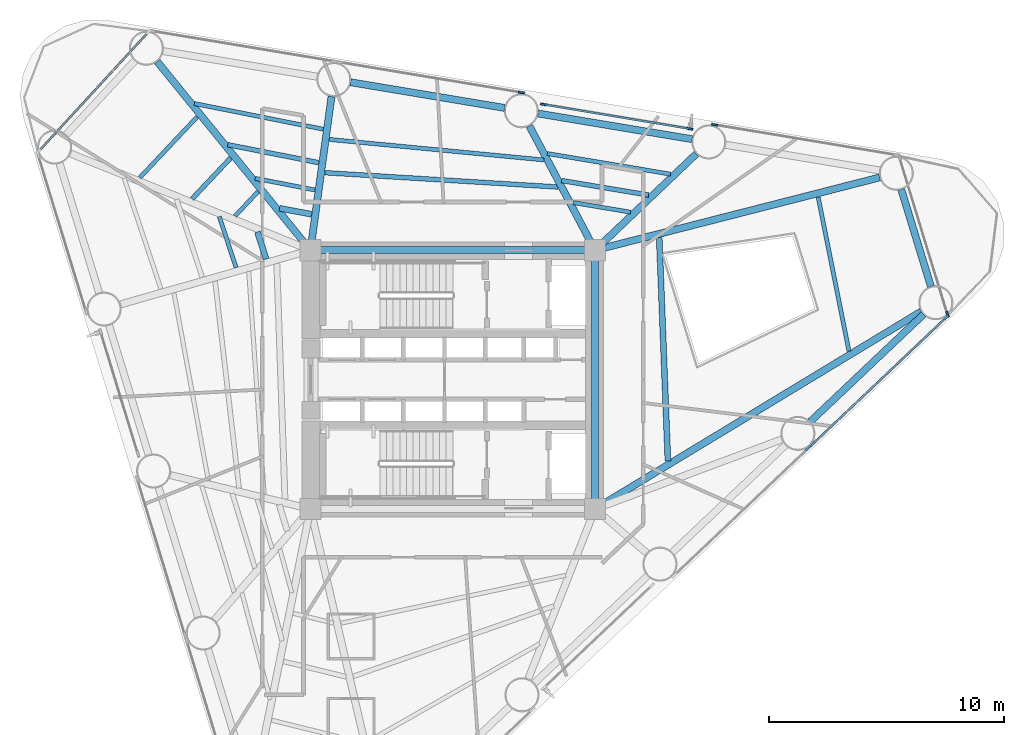
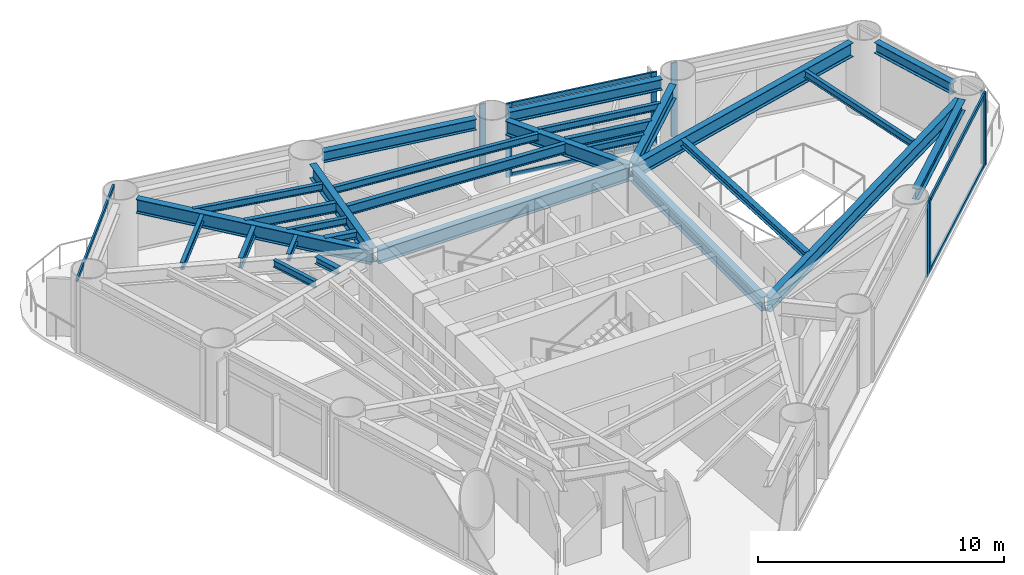
# One storey, part 3 of 10: 28 beams, 14 members, 7 elements without a shape of their own.
"""IFC4 building model written with IfcOpenShell, lengths in metres."""

from ifc_helpers import new_model, si_unit, direction, frame, origin, origin_2d, place, context, subcontext, project, spatial, rectangle, i_section, extrude, source, transform, mapped, material, layer, layer_set, material_profile, profile_set, type_object, element, aggregate, save


model = new_model("IFC4")

# Units and contexts
model_context = context("Model", 3, precision=1e-05, world=origin(), true_north=direction((0.0, 1.0)))
body_context = subcontext(model_context, "Body", "Model", "MODEL_VIEW")
ifc_project = project(units=[si_unit("LENGTHUNIT", "METRE"), si_unit("AREAUNIT", "SQUARE_METRE"), si_unit("VOLUMEUNIT", "CUBIC_METRE"), si_unit("PLANEANGLEUNIT", "RADIAN"), si_unit("MASSUNIT", "GRAM", prefix="KILO")], contexts=[model_context])

# Site, building, storey
site_placement = place(None, origin())
site = spatial("IfcSite", under=ifc_project, at=site_placement, CompositionType="ELEMENT")
building_placement = place(site_placement, origin())
building = spatial("IfcBuilding", under=site, at=building_placement, Name="Yunling Apex Tower", CompositionType="ELEMENT")
storey_placement = place(building_placement, frame((0.0, 0.0, 108.64990234375)))
storey = spatial("IfcBuildingStorey", under=building, at=storey_placement, Name="L27", CompositionType="ELEMENT", Elevation=108.64990234375)

# Beams
ifc_material_1 = material(Name="Steel Q355B", Category="steel")
ifc_material_profile_1 = material_profile(ifc_material_1, i_section(OverallWidth=0.300048828125, OverallDepth=0.699951171875, WebThickness=0.012939453125, FlangeThickness=0.02392578125, FilletRadius=0.02587890625, at=origin_2d()))
ifc_profile_set_1 = profile_set([ifc_material_profile_1], Name="Steel Q355B")
beam_type_1 = type_object("IfcBeamType", Name="BG-PRI-3", PredefinedType="USERDEFINED", material=ifc_profile_set_1)
shared_shape_1 = source(origin(), body_context, "Body", "SweptSolid", [
    extrude(i_section(OverallWidth=0.300048828125, OverallDepth=0.699951171875, WebThickness=0.012939453125, FlangeThickness=0.02392578125, FilletRadius=0.02587890625, at=origin_2d()), origin(), (0.0, 0.0, 1.0), 11.7998046875),
])
beam_1_placement = place(storey_placement, frame((5.89990234375, 5.5, 3.215087890625), z_axis=(-1.0, 0.0, 0.0), x_axis=(0.0, -1.0, 0.0)))
element("IfcBeam", 1, at=beam_1_placement, inside=storey, type_object=beam_type_1, Name="L27 Core Ring Tie Beam 3", ObjectType="GIRDER", PredefinedType="USERDEFINED", context=body_context, shape_type="MappedRepresentation", body=[
    mapped(shared_shape_1, transform((0.0, 0.0, 0.0), scale=1.0)),
])
shared_shape_2 = source(origin(), body_context, "Body", "SweptSolid", [
    extrude(i_section(OverallWidth=0.300048828125, OverallDepth=0.699951171875, WebThickness=0.012939453125, FlangeThickness=0.02392578125, FilletRadius=0.02587890625, at=origin_2d()), origin(), (0.0, 0.0, 1.0), 10.7001953125),
])
beam_2_placement = place(storey_placement, frame((6.050048828125, -5.35009765625, 3.215087890625), z_axis=(0.0, 1.0, 0.0), x_axis=(-1.0, 0.0, 0.0)))
element("IfcBeam", 2, at=beam_2_placement, inside=storey, type_object=beam_type_1, Name="L27 Core Ring Tie Beam 2", ObjectType="GIRDER", PredefinedType="USERDEFINED", context=body_context, shape_type="MappedRepresentation", body=[
    mapped(shared_shape_2, transform((0.0, 0.0, 0.0), scale=1.0)),
])
ifc_material_profile_2 = material_profile(ifc_material_1, i_section(OverallWidth=0.300048828125, OverallDepth=0.5400390625, WebThickness=0.011962890625, FlangeThickness=0.02001953125, FilletRadius=0.02392578125, at=origin_2d()))
ifc_profile_set_2 = profile_set([ifc_material_profile_2], Name="Steel Q355B")
beam_type_2 = type_object("IfcBeamType", Name="BP-SPN-1", PredefinedType="SPANDREL", material=ifc_profile_set_2)
shared_shape_3 = source(origin(), body_context, "Body", "SweptSolid", [
    extrude(i_section(OverallWidth=0.300048828125, OverallDepth=0.5400390625, WebThickness=0.011962890625, FlangeThickness=0.02001953125, FilletRadius=0.02392578125, at=origin_2d()), origin(), (0.0, 0.0, 1.0), 6.6416015625),
])
beam_3_placement = place(storey_placement, frame((15.194580078125, -1.79248046875, 3.295166015625), z_axis=(0.725873473547, 0.687828249203, 0.0), x_axis=(-0.687828249203, 0.725873473547, 0.0)))
element("IfcBeam", 3, at=beam_3_placement, inside=storey, type_object=beam_type_2, Name="L27 Perimeter Spandrel Beam 4", PredefinedType="SPANDREL", context=body_context, shape_type="MappedRepresentation", body=[
    mapped(shared_shape_3, transform((0.0, 0.0, 0.0), scale=1.0)),
])
shared_shape_4 = source(origin(), body_context, "Body", "SweptSolid", [
    extrude(i_section(OverallWidth=0.300048828125, OverallDepth=0.5400390625, WebThickness=0.011962890625, FlangeThickness=0.02001953125, FilletRadius=0.02392578125, at=origin_2d()), origin(), (0.0, 0.0, 1.0), 4.316162109375),
])
beam_4_placement = place(storey_placement, frame((20.327392578125, 3.9580078125, 3.295166015625), z_axis=(-0.29238810835, 0.956299740717, 0.0), x_axis=(-0.956299740717, -0.29238810835, 0.0)))
element("IfcBeam", 4, at=beam_4_placement, inside=storey, type_object=beam_type_2, Name="L27 Perimeter Spandrel Beam 5", PredefinedType="SPANDREL", context=body_context, shape_type="MappedRepresentation", body=[
    mapped(shared_shape_4, transform((0.0, 0.0, 0.0), scale=1.0)),
])
shared_shape_5 = source(origin(), body_context, "Body", "SweptSolid", [
    extrude(i_section(OverallWidth=0.300048828125, OverallDepth=0.5400390625, WebThickness=0.011962890625, FlangeThickness=0.02001953125, FilletRadius=0.02392578125, at=origin_2d()), origin(), (0.0, 0.0, 1.0), 6.641845703125),
])
for number, where, z_axis, x_axis, name in (
    (5, (10.176025390625, 10.21923828125, 3.295166015625), (-0.986402863526, 0.164345340146, 0.0), (-0.164345340146, -0.986402863526, 0.0), "L27 Perimeter Spandrel Beam 7"),
    (6, (2.206298828125, 11.547119140625, 3.295166015625), (-0.986396904036, 0.164381105081, 0.0), (-0.164381105081, -0.986396904036, 0.0), "L27 Perimeter Spandrel Beam 8"),
):
    element("IfcBeam", number, at=place(storey_placement, frame(where, z_axis=z_axis, x_axis=x_axis)), inside=storey, type_object=beam_type_2, Name=name, PredefinedType="SPANDREL", context=body_context, shape_type="MappedRepresentation", body=[
        mapped(shared_shape_5, transform((0.0, 0.0, 0.0), scale=1.0)),
    ])
shared_shape_6 = source(origin(), body_context, "Body", "SweptSolid", [
    extrude(i_section(OverallWidth=0.300048828125, OverallDepth=0.699951171875, WebThickness=0.012939453125, FlangeThickness=0.02392578125, FilletRadius=0.02587890625, at=origin_2d()), origin(), (0.0, 0.0, 1.0), 16.12255859375),
])
beam_5_placement = place(storey_placement, frame((19.91064453125, 2.890869140625, 3.215087890625), z_axis=(-0.855460711475, -0.517867715854, 0.0), x_axis=(0.517867715854, -0.855460711475, 0.0)))
element("IfcBeam", 7, at=beam_5_placement, inside=storey, type_object=beam_type_1, Name="L27 Radial Primary Girder R05", ObjectType="GIRDER", PredefinedType="USERDEFINED", context=body_context, shape_type="MappedRepresentation", body=[
    mapped(shared_shape_6, transform((0.0, 0.0, 0.0), scale=1.0)),
])
shared_shape_7 = source(origin(), body_context, "Body", "SweptSolid", [
    extrude(i_section(OverallWidth=0.300048828125, OverallDepth=0.699951171875, WebThickness=0.012939453125, FlangeThickness=0.02392578125, FilletRadius=0.02587890625, at=origin_2d()), origin(), (0.0, 0.0, 1.0), 12.404052734375),
])
beam_6_placement = place(storey_placement, frame((18.14501953125, 8.591552734375, 3.215087890625), z_axis=(-0.968850823376, -0.247645072723, 0.0), x_axis=(0.247645072723, -0.968850823376, 0.0)))
element("IfcBeam", 8, at=beam_6_placement, inside=storey, type_object=beam_type_1, Name="L27 Radial Primary Girder R06", ObjectType="GIRDER", PredefinedType="USERDEFINED", context=body_context, shape_type="MappedRepresentation", body=[
    mapped(shared_shape_7, transform((0.0, 0.0, 0.0), scale=1.0)),
])
shared_shape_8 = source(origin(), body_context, "Body", "SweptSolid", [
    extrude(i_section(OverallWidth=0.300048828125, OverallDepth=0.699951171875, WebThickness=0.012939453125, FlangeThickness=0.02392578125, FilletRadius=0.02587890625, at=origin_2d()), origin(), (0.0, 0.0, 1.0), 5.861572265625),
])
beam_7_placement = place(storey_placement, frame((10.354248046875, 9.595703125, 3.215087890625), z_axis=(-0.724444921608, -0.689332688588, 0.0), x_axis=(0.689332688588, -0.724444921608, 0.0)))
element("IfcBeam", 9, at=beam_7_placement, inside=storey, type_object=beam_type_1, Name="L27 Radial Primary Girder R07", ObjectType="GIRDER", PredefinedType="USERDEFINED", context=body_context, shape_type="MappedRepresentation", body=[
    mapped(shared_shape_8, transform((0.0, 0.0, 0.0), scale=1.0)),
])
shared_shape_9 = source(origin(), body_context, "Body", "SweptSolid", [
    extrude(i_section(OverallWidth=0.300048828125, OverallDepth=0.699951171875, WebThickness=0.012939453125, FlangeThickness=0.02392578125, FilletRadius=0.02587890625, at=origin_2d()), origin(), (0.0, 0.0, 1.0), 5.8935546875),
])
beam_8_placement = place(storey_placement, frame((3.258056640625, 10.781005859375, 3.215087890625), z_axis=(0.467396595772, -0.884047748858, 0.0), x_axis=(0.884047748858, 0.467396595772, 0.0)))
element("IfcBeam", 10, at=beam_8_placement, inside=storey, type_object=beam_type_1, Name="L27 Radial Primary Girder R08", ObjectType="GIRDER", PredefinedType="USERDEFINED", context=body_context, shape_type="MappedRepresentation", body=[
    mapped(shared_shape_9, transform((0.0, 0.0, 0.0), scale=1.0)),
])
shared_shape_10 = source(origin(), body_context, "Body", "SweptSolid", [
    extrude(i_section(OverallWidth=0.300048828125, OverallDepth=0.699951171875, WebThickness=0.012939453125, FlangeThickness=0.02392578125, FilletRadius=0.02587890625, at=origin_2d()), origin(), (0.0, 0.0, 1.0), 6.51171875),
])
beam_9_placement = place(storey_placement, frame((-5.154052734375, 12.03076171875, 3.215087890625), z_axis=(-0.135907866291, -0.990721480478, 0.0), x_axis=(0.990721480478, -0.135907866291, 0.0)))
element("IfcBeam", 11, at=beam_9_placement, inside=storey, type_object=beam_type_1, Name="L27 Radial Primary Girder R09", ObjectType="GIRDER", PredefinedType="USERDEFINED", context=body_context, shape_type="MappedRepresentation", body=[
    mapped(shared_shape_10, transform((0.0, 0.0, 0.0), scale=1.0)),
])
shared_shape_11 = source(origin(), body_context, "Body", "SweptSolid", [
    extrude(i_section(OverallWidth=0.300048828125, OverallDepth=0.699951171875, WebThickness=0.012939453125, FlangeThickness=0.02392578125, FilletRadius=0.02587890625, at=origin_2d()), origin(), (0.0, 0.0, 1.0), 10.248046875),
])
beam_10_placement = place(storey_placement, frame((-12.56201171875, 13.51611328125, 3.215087890625), z_axis=(0.630531635465, -0.776163550212, 0.0), x_axis=(0.776163550212, 0.630531635465, 0.0)))
element("IfcBeam", 12, at=beam_10_placement, inside=storey, type_object=beam_type_1, Name="L27 Radial Primary Girder R10", ObjectType="GIRDER", PredefinedType="USERDEFINED", context=body_context, shape_type="MappedRepresentation", body=[
    mapped(shared_shape_11, transform((0.0, 0.0, 0.0), scale=1.0)),
])
ifc_material_profile_3 = material_profile(ifc_material_1, i_section(OverallWidth=0.175048828125, OverallDepth=0.35009765625, WebThickness=0.007080078125, FlangeThickness=0.010986328125, FilletRadius=0.013916015625, at=origin_2d()))
ifc_profile_set_3 = profile_set([ifc_material_profile_3], Name="Steel Q355B")
beam_type_3 = type_object("IfcBeamType", Name="BJ-JST-1", PredefinedType="JOIST", material=ifc_profile_set_3)
shared_shape_12 = source(origin(), body_context, "Body", "SweptSolid", [
    extrude(i_section(OverallWidth=0.175048828125, OverallDepth=0.35009765625, WebThickness=0.007080078125, FlangeThickness=0.010986328125, FilletRadius=0.013916015625, at=origin_2d()), origin(), (0.0, 0.0, 1.0), 6.677978515625),
])
beam_11_placement = place(storey_placement, frame((16.844970703125, 1.2109375, 3.39013671875), z_axis=(-0.196502798026, 0.980503263823, 0.0), x_axis=(-0.980503263823, -0.196502798026, 0.0)))
element("IfcBeam", 13, at=beam_11_placement, inside=storey, type_object=beam_type_3, Name="L27 Composite Floor Joist BJ1-5", PredefinedType="JOIST", context=body_context, shape_type="MappedRepresentation", body=[
    mapped(shared_shape_12, transform((0.0, 0.0, 0.0), scale=1.0)),
])
ifc_material_profile_4 = material_profile(ifc_material_1, i_section(OverallWidth=0.25, OverallDepth=0.340087890625, WebThickness=0.009033203125, FlangeThickness=0.013916015625, FilletRadius=0.01806640625, at=origin_2d()))
ifc_profile_set_4 = profile_set([ifc_material_profile_4], Name="Steel Q355B")
beam_type_4 = type_object("IfcBeamType", Name="BJ-JST-2", PredefinedType="JOIST", material=ifc_profile_set_4)
shared_shape_13 = source(origin(), body_context, "Body", "SweptSolid", [
    extrude(i_section(OverallWidth=0.25, OverallDepth=0.340087890625, WebThickness=0.009033203125, FlangeThickness=0.013916015625, FilletRadius=0.01806640625, at=origin_2d()), origin(), (0.0, 0.0, 1.0), 9.504638671875),
])
beam_12_placement = place(storey_placement, frame((9.146484375, -3.4619140625, 3.39501953125), z_axis=(-0.038811925144, 0.999246533377, 0.0), x_axis=(-0.999246533377, -0.038811925144, 0.0)))
element("IfcBeam", 14, at=beam_12_placement, inside=storey, type_object=beam_type_4, Name="L27 Composite Floor Joist BJ2-5", PredefinedType="JOIST", context=body_context, shape_type="MappedRepresentation", body=[
    mapped(shared_shape_13, transform((0.0, 0.0, 0.0), scale=1.0)),
])
ifc_material_profile_5 = material_profile(ifc_material_1, i_section(OverallWidth=0.199951171875, OverallDepth=0.5, WebThickness=0.010009765625, FlangeThickness=0.01611328125, FilletRadius=0.02001953125, at=origin_2d()))
ifc_profile_set_5 = profile_set([ifc_material_profile_5], Name="Steel Q355B")
beam_type_5 = type_object("IfcBeamType", Name="BS-SEC-2", PredefinedType="BEAM", material=ifc_profile_set_5)
shared_shape_14 = source(origin(), body_context, "Body", "SweptSolid", [
    extrude(i_section(OverallWidth=0.199951171875, OverallDepth=0.5, WebThickness=0.010009765625, FlangeThickness=0.01611328125, FilletRadius=0.02001953125, at=origin_2d()), origin(), (0.0, 0.0, 1.0), 3.751708984375),
])
beam_13_placement = place(storey_placement, frame((8.328125, 7.84423828125, 3.315185546875), z_axis=(-0.986342871573, 0.164705008112, 0.0), x_axis=(-0.164705008112, -0.986342871573, 0.0)))
element("IfcBeam", 15, at=beam_13_placement, inside=storey, type_object=beam_type_5, Name="L27 Composite Floor Beam BS-7", PredefinedType="BEAM", context=body_context, shape_type="MappedRepresentation", body=[
    mapped(shared_shape_14, transform((0.0, 0.0, 0.0), scale=1.0)),
])
shared_shape_15 = source(origin(), body_context, "Body", "SweptSolid", [
    extrude(i_section(OverallWidth=0.175048828125, OverallDepth=0.35009765625, WebThickness=0.007080078125, FlangeThickness=0.010986328125, FilletRadius=0.013916015625, at=origin_2d()), origin(), (0.0, 0.0, 1.0), 5.31298828125),
])
beam_14_placement = place(storey_placement, frame((9.26220703125, 8.733154296875, 3.39013671875), z_axis=(-0.9863379805, 0.164734295835, 0.0), x_axis=(-0.164734295835, -0.9863379805, 0.0)))
element("IfcBeam", 16, at=beam_14_placement, inside=storey, type_object=beam_type_3, Name="L27 Composite Floor Joist BJ1-7", PredefinedType="JOIST", context=body_context, shape_type="MappedRepresentation", body=[
    mapped(shared_shape_15, transform((0.0, 0.0, 0.0), scale=1.0)),
])
shared_shape_16 = source(origin(), body_context, "Body", "SweptSolid", [
    extrude(i_section(OverallWidth=0.175048828125, OverallDepth=0.35009765625, WebThickness=0.007080078125, FlangeThickness=0.010986328125, FilletRadius=0.013916015625, at=origin_2d()), origin(), (0.0, 0.0, 1.0), 2.4736328125),
])
beam_15_placement = place(storey_placement, frame((7.563720703125, 7.116943359375, 3.39013671875), z_axis=(-0.986340524185, 0.164719064925, 0.0), x_axis=(-0.164719064925, -0.986340524185, 0.0)))
element("IfcBeam", 17, at=beam_15_placement, inside=storey, type_object=beam_type_3, Name="L27 Composite Floor Joist BJ3-7", PredefinedType="JOIST", context=body_context, shape_type="MappedRepresentation", body=[
    mapped(shared_shape_16, transform((0.0, 0.0, 0.0), scale=1.0)),
])
shared_shape_17 = source(origin(), body_context, "Body", "SweptSolid", [
    extrude(i_section(OverallWidth=0.199951171875, OverallDepth=0.5, WebThickness=0.010009765625, FlangeThickness=0.01611328125, FilletRadius=0.02001953125, at=origin_2d()), origin(), (0.0, 0.0, 1.0), 9.931396484375),
])
beam_16_placement = place(storey_placement, frame((4.4755859375, 8.185791015625, 3.315185546875), z_axis=(-0.998115763158, 0.061358971106, 0.0), x_axis=(-0.061358971106, -0.998115763158, 0.0)))
element("IfcBeam", 18, at=beam_16_placement, inside=storey, type_object=beam_type_5, Name="L27 Composite Floor Beam BS-8", PredefinedType="BEAM", context=body_context, shape_type="MappedRepresentation", body=[
    mapped(shared_shape_17, transform((0.0, 0.0, 0.0), scale=1.0)),
])
shared_shape_18 = source(origin(), body_context, "Body", "SweptSolid", [
    extrude(i_section(OverallWidth=0.175048828125, OverallDepth=0.35009765625, WebThickness=0.007080078125, FlangeThickness=0.010986328125, FilletRadius=0.013916015625, at=origin_2d()), origin(), (0.0, 0.0, 1.0), 9.154296875),
])
beam_17_placement = place(storey_placement, frame((3.8701171875, 9.33740234375, 3.39013671875), z_axis=(-0.99545727606, 0.095209303851, 0.0), x_axis=(-0.095209303851, -0.99545727606, 0.0)))
element("IfcBeam", 19, at=beam_17_placement, inside=storey, type_object=beam_type_3, Name="L27 Composite Floor Joist BJ1-8", PredefinedType="JOIST", context=body_context, shape_type="MappedRepresentation", body=[
    mapped(shared_shape_18, transform((0.0, 0.0, 0.0), scale=1.0)),
])
shared_shape_19 = source(origin(), body_context, "Body", "SweptSolid", [
    extrude(i_section(OverallWidth=0.199951171875, OverallDepth=0.5, WebThickness=0.010009765625, FlangeThickness=0.01611328125, FilletRadius=0.02001953125, at=origin_2d()), origin(), (0.0, 0.0, 1.0), 3.93603515625),
])
beam_18_placement = place(storey_placement, frame((-5.700439453125, 9.22314453125, 3.315185546875), z_axis=(-0.981071392503, 0.193646386002, 0.0), x_axis=(-0.193646386002, -0.981071392503, 0.0)))
element("IfcBeam", 20, at=beam_18_placement, inside=storey, type_object=beam_type_5, Name="L27 Composite Floor Beam BS-9", PredefinedType="BEAM", context=body_context, shape_type="MappedRepresentation", body=[
    mapped(shared_shape_19, transform((0.0, 0.0, 0.0), scale=1.0)),
])
shared_shape_20 = source(origin(), body_context, "Body", "SweptSolid", [
    extrude(i_section(OverallWidth=0.175048828125, OverallDepth=0.35009765625, WebThickness=0.007080078125, FlangeThickness=0.010986328125, FilletRadius=0.013916015625, at=origin_2d()), origin(), (0.0, 0.0, 1.0), 5.5859375),
])
beam_19_placement = place(storey_placement, frame((-5.505615234375, 10.642822265625, 3.39013671875), z_axis=(-0.980703200221, 0.195502514243, 0.0), x_axis=(-0.195502514243, -0.980703200221, 0.0)))
element("IfcBeam", 21, at=beam_19_placement, inside=storey, type_object=beam_type_3, Name="L27 Composite Floor Joist BJ1-9", PredefinedType="JOIST", context=body_context, shape_type="MappedRepresentation", body=[
    mapped(shared_shape_20, transform((0.0, 0.0, 0.0), scale=1.0)),
])
shared_shape_21 = source(origin(), body_context, "Body", "SweptSolid", [
    extrude(i_section(OverallWidth=0.175048828125, OverallDepth=0.35009765625, WebThickness=0.007080078125, FlangeThickness=0.010986328125, FilletRadius=0.013916015625, at=origin_2d()), origin(), (0.0, 0.0, 1.0), 2.586181640625),
])
beam_20_placement = place(storey_placement, frame((-5.85986328125, 8.061279296875, 3.39013671875), z_axis=(-0.981668903035, 0.190594241295, 0.0), x_axis=(-0.190594241295, -0.981668903035, 0.0)))
element("IfcBeam", 22, at=beam_20_placement, inside=storey, type_object=beam_type_3, Name="L27 Composite Floor Joist BJ3-9", PredefinedType="JOIST", context=body_context, shape_type="MappedRepresentation", body=[
    mapped(shared_shape_21, transform((0.0, 0.0, 0.0), scale=1.0)),
])
shared_shape_22 = source(origin(), body_context, "Body", "SweptSolid", [
    extrude(i_section(OverallWidth=0.25, OverallDepth=0.340087890625, WebThickness=0.009033203125, FlangeThickness=0.013916015625, FilletRadius=0.01806640625, at=origin_2d()), origin(), (0.0, 0.0, 1.0), 1.38671875),
])
beam_21_placement = place(storey_placement, frame((-6.001708984375, 7.028076171875, 3.39501953125), z_axis=(-0.982993560329, 0.183640029272, 0.0), x_axis=(-0.183640029272, -0.982993560329, 0.0)))
element("IfcBeam", 23, at=beam_21_placement, inside=storey, type_object=beam_type_4, Name="L27 Composite Floor Joist BJ2-9", PredefinedType="JOIST", context=body_context, shape_type="MappedRepresentation", body=[
    mapped(shared_shape_22, transform((0.0, 0.0, 0.0), scale=1.0)),
])
shared_shape_23 = source(origin(), body_context, "Body", "SweptSolid", [
    extrude(i_section(OverallWidth=0.199951171875, OverallDepth=0.5, WebThickness=0.010009765625, FlangeThickness=0.01611328125, FilletRadius=0.02001953125, at=origin_2d()), origin(), (0.0, 0.0, 1.0), 2.385498046875),
])
beam_22_placement = place(storey_placement, frame((-9.44091796875, 9.422607421875, 3.315185546875), z_axis=(-0.685604091154, -0.727974608207, 0.0), x_axis=(0.727974608207, -0.685604091154, 0.0)))
element("IfcBeam", 24, at=beam_22_placement, inside=storey, type_object=beam_type_5, Name="L27 Composite Floor Beam BS-10", PredefinedType="BEAM", context=body_context, shape_type="MappedRepresentation", body=[
    mapped(shared_shape_23, transform((0.0, 0.0, 0.0), scale=1.0)),
])
shared_shape_24 = source(origin(), body_context, "Body", "SweptSolid", [
    extrude(i_section(OverallWidth=0.175048828125, OverallDepth=0.35009765625, WebThickness=0.007080078125, FlangeThickness=0.010986328125, FilletRadius=0.013916015625, at=origin_2d()), origin(), (0.0, 0.0, 1.0), 3.558349609375),
])
beam_23_placement = place(storey_placement, frame((-10.862548828125, 11.172607421875, 3.39013671875), z_axis=(-0.685976545908, -0.727623651666, 0.0), x_axis=(0.727623651666, -0.685976545908, 0.0)))
element("IfcBeam", 25, at=beam_23_placement, inside=storey, type_object=beam_type_3, Name="L27 Composite Floor Joist BJ1-10", PredefinedType="JOIST", context=body_context, shape_type="MappedRepresentation", body=[
    mapped(shared_shape_24, transform((0.0, 0.0, 0.0), scale=1.0)),
])
shared_shape_25 = source(origin(), body_context, "Body", "SweptSolid", [
    extrude(i_section(OverallWidth=0.175048828125, OverallDepth=0.35009765625, WebThickness=0.007080078125, FlangeThickness=0.010986328125, FilletRadius=0.013916015625, at=origin_2d()), origin(), (0.0, 0.0, 1.0), 1.42578125),
])
beam_24_placement = place(storey_placement, frame((-8.277587890625, 7.99072265625, 3.39013671875), z_axis=(-0.68493728069, -0.728602032334, 0.0), x_axis=(0.728602032334, -0.68493728069, 0.0)))
element("IfcBeam", 26, at=beam_24_placement, inside=storey, type_object=beam_type_3, Name="L27 Composite Floor Joist BJ3-10", PredefinedType="JOIST", context=body_context, shape_type="MappedRepresentation", body=[
    mapped(shared_shape_25, transform((0.0, 0.0, 0.0), scale=1.0)),
])
shared_shape_26 = source(origin(), body_context, "Body", "SweptSolid", [
    extrude(i_section(OverallWidth=0.175048828125, OverallDepth=0.35009765625, WebThickness=0.007080078125, FlangeThickness=0.010986328125, FilletRadius=0.013916015625, at=origin_2d()), origin(), (0.0, 0.0, 1.0), 2.277099609375),
])
beam_25_placement = place(storey_placement, frame((-9.92138671875, 6.927978515625, 3.39013671875), z_axis=(0.311044342957, -0.950395400196, 0.0), x_axis=(0.950395400196, 0.311044342957, 0.0)))
element("IfcBeam", 27, at=beam_25_placement, inside=storey, type_object=beam_type_3, Name="L27 Composite Floor Joist BJ3-11", PredefinedType="JOIST", context=body_context, shape_type="MappedRepresentation", body=[
    mapped(shared_shape_26, transform((0.0, 0.0, 0.0), scale=1.0)),
])
shared_shape_27 = source(origin(), body_context, "Body", "SweptSolid", [
    extrude(i_section(OverallWidth=0.25, OverallDepth=0.340087890625, WebThickness=0.009033203125, FlangeThickness=0.013916015625, FilletRadius=0.01806640625, at=origin_2d()), origin(), (0.0, 0.0, 1.0), 1.2041015625),
])
beam_26_placement = place(storey_placement, frame((-8.302490234375, 6.275146484375, 3.39501953125), z_axis=(0.306173262139, -0.951975805129, 0.0), x_axis=(0.951975805129, 0.306173262139, 0.0)))
element("IfcBeam", 28, at=beam_26_placement, inside=storey, type_object=beam_type_4, Name="L27 Composite Floor Joist BJ2-11", PredefinedType="JOIST", context=body_context, shape_type="MappedRepresentation", body=[
    mapped(shared_shape_27, transform((0.0, 0.0, 0.0), scale=1.0)),
])

# Curtain wall, member
ifc_material_2 = material(Name="Bronze anodised aluminium", Category="aluminium")
ifc_layer = layer(ifc_material_2, 0.260009765625)
ifc_layer_set = layer_set([ifc_layer], Name="Bronze anodised aluminium")
curtain_wall_type = type_object("IfcCurtainWallType", Name="CW-SYS-2", PredefinedType="NOTDEFINED", material=ifc_layer_set)
curtain_wall_1_placement = place(storey_placement, origin())
curtain_wall_1 = element("IfcCurtainWall", 29, at=curtain_wall_1_placement, inside=storey, type_object=curtain_wall_type, Name="CW-L27-F1-B3", PredefinedType="NOTDEFINED")
ifc_material_profile_6 = material_profile(ifc_material_2, rectangle(XDim=0.0849609375, YDim=0.260009765625, at=origin_2d()))
ifc_profile_set_6 = profile_set([ifc_material_profile_6], Name="Bronze anodised aluminium")
member_type_1 = type_object("IfcMemberType", Name="CW-MUL-2", PredefinedType="MULLION", material=ifc_profile_set_6)
shared_shape_28 = source(origin(), body_context, "Body", "SweptSolid", [
    extrude(rectangle(XDim=0.0849609375, YDim=0.260009765625, at=origin_2d()), origin(), (0.0, 0.0, 1.0), 3.664794921875),
])
member_1_placement = place(storey_placement, frame((15.106689453125, -2.923095703125, -0.0498046875), z_axis=(0.0, 0.0, 1.0), x_axis=(-0.687861264918, 0.72584218686, 0.0)))
member_1 = element("IfcMember", 30, at=member_1_placement, type_object=member_type_1, Name="CW-SYS-2 mullion 2", PredefinedType="MULLION", context=body_context, shape_type="MappedRepresentation", body=[
    mapped(shared_shape_28, transform((0.0, 0.0, 0.0), scale=1.0)),
])
aggregate(curtain_wall_1, [member_1])

# Curtain wall, members
curtain_wall_2_placement = place(storey_placement, origin())
curtain_wall_2 = element("IfcCurtainWall", 31, at=curtain_wall_2_placement, inside=storey, type_object=curtain_wall_type, Name="CW-L27-F1-B4", PredefinedType="NOTDEFINED")
member_2_placement = place(storey_placement, frame((15.28466796875, -2.754638671875, -0.0498046875), z_axis=(0.0, 0.0, 1.0), x_axis=(-0.687861264918, 0.72584218686, 0.0)))
member_2 = element("IfcMember", 32, at=member_2_placement, type_object=member_type_1, Name="CW-SYS-2 mullion 1", PredefinedType="MULLION", context=body_context, shape_type="MappedRepresentation", body=[
    mapped(shared_shape_28, transform((0.0, 0.0, 0.0), scale=1.0)),
])
member_3_placement = place(storey_placement, frame((20.971435546875, 2.634765625, -0.0498046875), z_axis=(0.0, 0.0, 1.0), x_axis=(-0.687861264918, 0.72584218686, 0.0)))
member_3 = element("IfcMember", 33, at=member_3_placement, type_object=member_type_1, Name="CW-SYS-2 mullion 2", PredefinedType="MULLION", context=body_context, shape_type="MappedRepresentation", body=[
    mapped(shared_shape_28, transform((0.0, 0.0, 0.0), scale=1.0)),
])

# Curtain wall, member
curtain_wall_3_placement = place(storey_placement, origin())
curtain_wall_3 = element("IfcCurtainWall", 34, at=curtain_wall_3_placement, inside=storey, type_object=curtain_wall_type, Name="CW-L27-CRN1", PredefinedType="NOTDEFINED")
member_4_placement = place(storey_placement, frame((21.0341796875, 2.77392578125, -0.0498046875), z_axis=(0.0, 0.0, 1.0), x_axis=(-0.95630374567, -0.292375009223, 0.0)))
member_4 = element("IfcMember", 35, at=member_4_placement, type_object=member_type_1, Name="CW-SYS-2 mullion 1", PredefinedType="MULLION", context=body_context, shape_type="MappedRepresentation", body=[
    mapped(shared_shape_28, transform((0.0, 0.0, 0.0), scale=1.0)),
])
aggregate(curtain_wall_3, [member_4])

curtain_wall_4_placement = place(storey_placement, origin())
curtain_wall_4 = element("IfcCurtainWall", 36, at=curtain_wall_4_placement, inside=storey, type_object=curtain_wall_type, Name="CW-L27-F2-B1", PredefinedType="NOTDEFINED")
member_5_placement = place(storey_placement, frame((11.131103515625, 10.83056640625, -0.0498046875), z_axis=(0.0, 0.0, 1.0), x_axis=(-0.16436008369, -0.98640040698, 0.0)))
member_5 = element("IfcMember", 37, at=member_5_placement, type_object=member_type_1, Name="CW-SYS-2 mullion 2", PredefinedType="MULLION", context=body_context, shape_type="MappedRepresentation", body=[
    mapped(shared_shape_28, transform((0.0, 0.0, 0.0), scale=1.0)),
])
aggregate(curtain_wall_4, [member_5])

# Curtain wall, members
curtain_wall_5_placement = place(storey_placement, origin())
curtain_wall_5 = element("IfcCurtainWall", 38, at=curtain_wall_5_placement, inside=storey, type_object=curtain_wall_type, Name="CW-L27-F2-B2", PredefinedType="NOTDEFINED")
member_6_placement = place(storey_placement, frame((10.078857421875, 10.6611328125, -0.0498046875), z_axis=(0.0, 0.0, 1.0), x_axis=(-0.164355844023, -0.986401113409, 0.0)))
member_6 = element("IfcMember", 39, at=member_6_placement, type_object=member_type_1, Name="CW-SYS-2 mullion 1", PredefinedType="MULLION", context=body_context, shape_type="MappedRepresentation", body=[
    mapped(shared_shape_28, transform((0.0, 0.0, 0.0), scale=1.0)),
])
member_7_placement = place(storey_placement, frame((3.85986328125, 11.697509765625, -0.0498046875), z_axis=(0.0, 0.0, 1.0), x_axis=(-0.164355844023, -0.986401113409, 0.0)))
member_7 = element("IfcMember", 40, at=member_7_placement, type_object=member_type_1, Name="CW-SYS-2 mullion 2", PredefinedType="MULLION", context=body_context, shape_type="MappedRepresentation", body=[
    mapped(shared_shape_28, transform((0.0, 0.0, 0.0), scale=1.0)),
])

# Curtain wall, member
curtain_wall_6_placement = place(storey_placement, origin())
curtain_wall_6 = element("IfcCurtainWall", 41, at=curtain_wall_6_placement, inside=storey, type_object=curtain_wall_type, Name="CW-L27-F2-B3", PredefinedType="NOTDEFINED")
member_8_placement = place(storey_placement, frame((2.91943359375, 12.198974609375, -0.0498046875), z_axis=(0.0, 0.0, 1.0), x_axis=(-0.164362130784, -0.986400065878, 0.0)))
member_8 = element("IfcMember", 42, at=member_8_placement, type_object=member_type_1, Name="CW-SYS-2 mullion 1", PredefinedType="MULLION", context=body_context, shape_type="MappedRepresentation", body=[
    mapped(shared_shape_28, transform((0.0, 0.0, 0.0), scale=1.0)),
])
aggregate(curtain_wall_6, [member_8])

# Member
ifc_material_profile_7 = material_profile(ifc_material_2, rectangle(XDim=0.0849609375, YDim=0.199951171875, at=origin_2d()))
ifc_profile_set_7 = profile_set([ifc_material_profile_7], Name="Bronze anodised aluminium")
member_type_2 = type_object("IfcMemberType", Name="CW-TRN-2", PredefinedType="USERDEFINED", material=ifc_profile_set_7)
shared_shape_29 = source(origin(), body_context, "Body", "SweptSolid", [
    extrude(rectangle(XDim=0.0849609375, YDim=0.199951171875, at=origin_2d()), origin(), (0.0, 0.0, 1.0), 7.75830078125),
])
member_9_placement = place(storey_placement, frame((15.312255859375, -2.728271484375, 0.04248046875), z_axis=(0.725842697135, 0.687860726467, 0.0), x_axis=(-0.687860726467, 0.725842697135, 0.0)))
member_9 = element("IfcMember", 43, at=member_9_placement, type_object=member_type_2, Name="CW-SYS-2 transom 1.1", ObjectType="TRANSOM", PredefinedType="USERDEFINED", context=body_context, shape_type="MappedRepresentation", body=[
    mapped(shared_shape_29, transform((0.0, 0.0, 0.0), scale=1.0)),
])

member_10_placement = place(storey_placement, frame((15.312255859375, -2.728271484375, 3.522705078125), z_axis=(0.725842697135, 0.687860726467, 0.0), x_axis=(-0.687860726467, 0.725842697135, 0.0)))
member_10 = element("IfcMember", 44, at=member_10_placement, type_object=member_type_2, Name="CW-SYS-2 transom 1.2", ObjectType="TRANSOM", PredefinedType="USERDEFINED", context=body_context, shape_type="MappedRepresentation", body=[
    mapped(shared_shape_29, transform((0.0, 0.0, 0.0), scale=1.0)),
])

aggregate(curtain_wall_2, [member_2, member_3, member_9, member_10])

shared_shape_30 = source(origin(), body_context, "Body", "SweptSolid", [
    extrude(rectangle(XDim=0.0849609375, YDim=0.199951171875, at=origin_2d()), origin(), (0.0, 0.0, 1.0), 6.228515625),
])
member_11_placement = place(storey_placement, frame((10.041259765625, 10.66748046875, 0.04248046875), z_axis=(-0.986401338544, 0.164354492848, 0.0), x_axis=(-0.164354492848, -0.986401338544, 0.0)))
member_11 = element("IfcMember", 45, at=member_11_placement, type_object=member_type_2, Name="CW-SYS-2 transom 1.1", ObjectType="TRANSOM", PredefinedType="USERDEFINED", context=body_context, shape_type="MappedRepresentation", body=[
    mapped(shared_shape_30, transform((0.0, 0.0, 0.0), scale=1.0)),
])

member_12_placement = place(storey_placement, frame((10.041259765625, 10.66748046875, 2.715087890625), z_axis=(-0.986401338544, 0.164354492848, 0.0), x_axis=(-0.164354492848, -0.986401338544, 0.0)))
member_12 = element("IfcMember", 46, at=member_12_placement, type_object=member_type_2, Name="CW-SYS-2 transom 1.2", ObjectType="TRANSOM", PredefinedType="USERDEFINED", context=body_context, shape_type="MappedRepresentation", body=[
    mapped(shared_shape_30, transform((0.0, 0.0, 0.0), scale=1.0)),
])

member_13_placement = place(storey_placement, frame((10.041259765625, 10.66748046875, 3.522705078125), z_axis=(-0.986401338544, 0.164354492848, 0.0), x_axis=(-0.164354492848, -0.986401338544, 0.0)))
member_13 = element("IfcMember", 47, at=member_13_placement, type_object=member_type_2, Name="CW-SYS-2 transom 1.3", ObjectType="TRANSOM", PredefinedType="USERDEFINED", context=body_context, shape_type="MappedRepresentation", body=[
    mapped(shared_shape_30, transform((0.0, 0.0, 0.0), scale=1.0)),
])

aggregate(curtain_wall_5, [member_6, member_7, member_11, member_12, member_13])

# Curtain wall, member
curtain_wall_7_placement = place(storey_placement, origin())
curtain_wall_7 = element("IfcCurtainWall", 48, at=curtain_wall_7_placement, inside=storey, type_object=curtain_wall_type, Name="CW-L27-CRN2", PredefinedType="NOTDEFINED")
shared_shape_31 = source(origin(), body_context, "Body", "SweptSolid", [
    extrude(rectangle(XDim=0.0849609375, YDim=0.199951171875, at=origin_2d()), origin(), (0.0, 0.0, 1.0), 6.831298828125),
])
member_14_placement = place(storey_placement, frame((-12.957275390625, 14.755615234375, 3.522705078125), z_axis=(-0.676783953504, -0.73618168972, 0.0), x_axis=(0.73618168972, -0.676783953504, 0.0)))
member_14 = element("IfcMember", 49, at=member_14_placement, type_object=member_type_2, Name="CW-SYS-2 transom 1.2", ObjectType="TRANSOM", PredefinedType="USERDEFINED", context=body_context, shape_type="MappedRepresentation", body=[
    mapped(shared_shape_31, transform((0.0, 0.0, 0.0), scale=1.0)),
])
aggregate(curtain_wall_7, [member_14])

save(model, "model.ifc")
